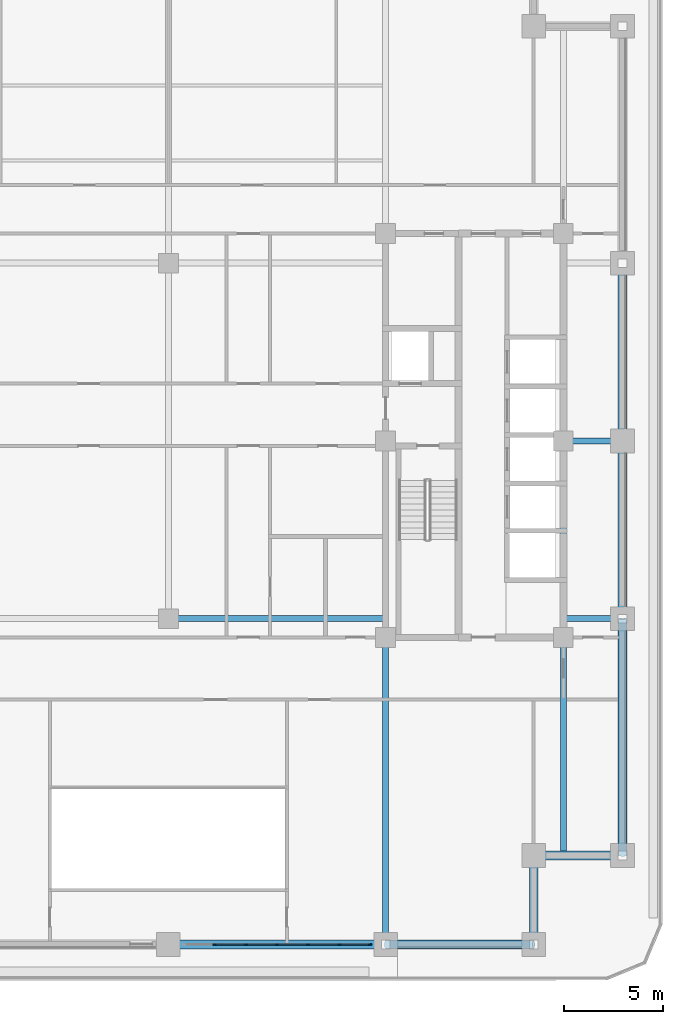
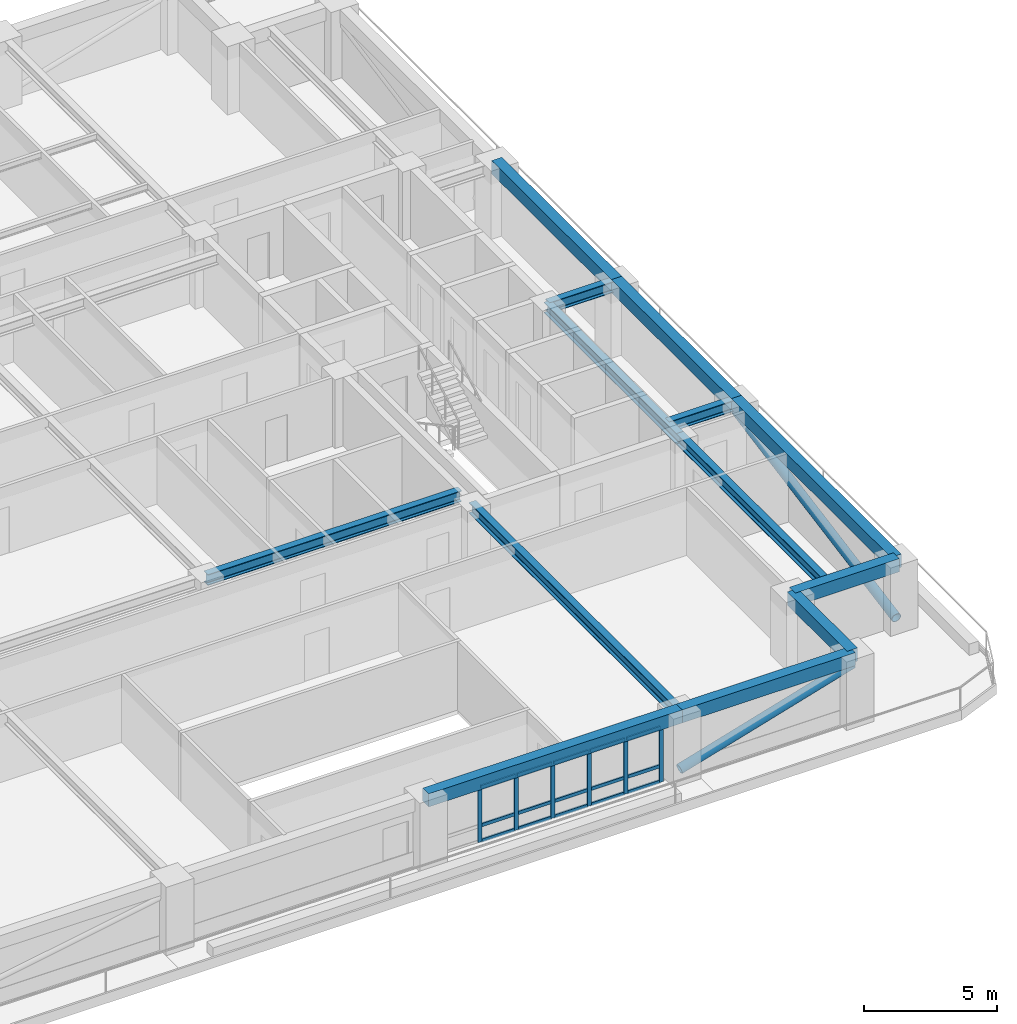
# One storey, part 4 of 17: 23 members, 13 beams, 1 element without a shape of its own.
"""IFC4 building model written with IfcOpenShell, lengths in metres."""

import ifcopenshell
import ifcopenshell.guid

model = None  # the IFC model being written
_history = None  # IfcOwnerHistory: only IFC2X3 demands one
_inside = {}  # id of a spatial element -> (the spatial element, [elements in it])
_under = {}  # id of a project, library or spatial element -> (it, [spatial elements below it])
_declared = {}  # id of a project -> (the project, [libraries it declares])
_typed = {}  # id of a type object -> (the type object, [elements of that type])
_made_of = {}  # id of a material, layer set ... -> (it, [elements and type objects made of it])


def new_model(schema):
    """Start an empty IFC model of exactly this schema.

    Asked for "IFC4X3", IfcOpenShell would pick the latest addendum, in which some entities
    have other attributes; the version numbers below select the first issue.
    IFC2X3 requires an IfcOwnerHistory on every rooted entity: one is made here for all.
    """
    global model, _history
    if schema == "IFC4X3":
        model = ifcopenshell.file(schema_version=(4, 3, 0, 0))
    else:
        model = ifcopenshell.file(schema=schema)
    _inside.clear()
    _under.clear()
    _declared.clear()
    _typed.clear()
    _made_of.clear()
    _history = None
    if model.schema == "IFC2X3":
        org = make("IfcOrganization", Name="unknown")
        user = make(
            "IfcPersonAndOrganization",
            ThePerson=make("IfcPerson", FamilyName="unknown"),
            TheOrganization=org,
        )
        app = make(
            "IfcApplication",
            ApplicationDeveloper=org,
            Version="unknown",
            ApplicationFullName="unknown",
            ApplicationIdentifier="unknown",
        )
        _history = make(
            "IfcOwnerHistory",
            OwningUser=user,
            OwningApplication=app,
            ChangeAction="ADDED",
            CreationDate=0,
        )
    return model


def make(cls, **values):
    """One entity of the class cls with the attributes given. An attribute that is None is left unset."""
    return model.create_entity(
        cls, **{name: value for name, value in values.items() if value is not None}
    )


def rooted(cls, **values):
    """An entity with a GlobalId (a new one), such as an element, a storey or a relation."""
    return make(cls, GlobalId=ifcopenshell.guid.new(), OwnerHistory=_history, **values)


def si_unit(unit_type, name, prefix=None):
    """IfcSIUnit, for example si_unit("LENGTHUNIT", "METRE", prefix="MILLI")."""
    return make("IfcSIUnit", UnitType=unit_type, Prefix=prefix, Name=name)


def assignment(units):
    """IfcUnitAssignment: the units of a project."""
    return None if units is None else make("IfcUnitAssignment", Units=units)


def point(xyz):
    """IfcCartesianPoint."""
    return None if xyz is None else make("IfcCartesianPoint", Coordinates=xyz)


def direction(xyz):
    """IfcDirection."""
    return None if xyz is None else make("IfcDirection", DirectionRatios=xyz)


def frame(location, z_axis=None, x_axis=None):
    """IfcAxis2Placement3D, a coordinate frame: its origin and axes. An axis left out is left unset."""
    return make(
        "IfcAxis2Placement3D",
        Location=point(location),
        Axis=direction(z_axis),
        RefDirection=direction(x_axis),
    )


def frame_2d(location, x_axis=None):
    """IfcAxis2Placement2D, a coordinate frame in the plane: its origin and x axis."""
    return make(
        "IfcAxis2Placement2D", Location=point(location), RefDirection=direction(x_axis)
    )


def origin():
    """The frame at (0, 0, 0) with its axes left unset."""
    return frame((0.0, 0.0, 0.0))


def origin_2d():
    """The frame at (0, 0) in the plane with its x axis left unset."""
    return frame_2d((0.0, 0.0))


def place(relative_to, where):
    """IfcLocalPlacement: puts the frame where relative to a parent placement (None: the world)."""
    return make(
        "IfcLocalPlacement", PlacementRelTo=relative_to, RelativePlacement=where
    )


def context(
    kind, dimensions, precision=None, world=None, true_north=None, identifier=None
):
    """IfcGeometricRepresentationContext, for example the 3D "Model" context."""
    return make(
        "IfcGeometricRepresentationContext",
        ContextIdentifier=identifier,
        ContextType=kind,
        CoordinateSpaceDimension=dimensions,
        Precision=precision,
        WorldCoordinateSystem=world,
        TrueNorth=true_north,
    )


def subcontext(parent, identifier, kind, view, scale=None):
    """IfcGeometricRepresentationSubContext, for example "Body" below "Model"."""
    return make(
        "IfcGeometricRepresentationSubContext",
        ContextIdentifier=identifier,
        ContextType=kind,
        ParentContext=parent,
        TargetScale=scale,
        TargetView=view,
    )


def project(units=None, contexts=None):
    """IfcProject with its units and contexts."""
    return rooted(
        "IfcProject",
        Name="project",
        RepresentationContexts=contexts,
        UnitsInContext=assignment(units),
    )


def spatial(cls, under=None, at=None, **own):
    """A site, building, storey or space (cls), placed at a placement, below another one or the project."""
    s = rooted(cls, ObjectPlacement=at, **own)
    if under is not None:
        _under.setdefault(under.id(), (under, []))[1].append(s)
    return s


def profile(cls, at=None, kind="AREA", **sizes):
    """A parametric profile (cls). Its sizes go by their IFC names, for example OverallWidth=200.0."""
    return make(cls, ProfileType=kind, Position=at, **sizes)


def rectangle(**sizes):
    """IfcRectangleProfileDef."""
    return profile("IfcRectangleProfileDef", **sizes)


def hollow_circle(**sizes):
    """IfcCircleHollowProfileDef."""
    return profile("IfcCircleHollowProfileDef", **sizes)


def i_section(**sizes):
    """IfcIShapeProfileDef."""
    return profile("IfcIShapeProfileDef", **sizes)


def extrude(swept, where, along, depth):
    """IfcExtrudedAreaSolid: the profile swept, set in the frame where, extruded along a direction by depth."""
    return make(
        "IfcExtrudedAreaSolid",
        SweptArea=swept,
        Position=where,
        ExtrudedDirection=direction(along),
        Depth=depth,
    )


def shape(context_of_items, identifier, shape_type, items):
    """IfcShapeRepresentation: the items that make up one representation, for example the "Body"."""
    return make(
        "IfcShapeRepresentation",
        ContextOfItems=context_of_items,
        RepresentationIdentifier=identifier,
        RepresentationType=shape_type,
        Items=items,
    )


def material(Name=None, Category=None):
    """IfcMaterial."""
    return make("IfcMaterial", Name=Name, Category=Category)


def material_profile(
    of_material, cross_section, Name=None, Category=None, Priority=None
):
    """IfcMaterialProfile: a cross section and its material."""
    return make(
        "IfcMaterialProfile",
        Name=Name,
        Material=of_material,
        Profile=cross_section,
        Priority=Priority,
        Category=Category,
    )


def profile_set(profiles, Name=None, composite=None):
    """IfcMaterialProfileSet."""
    return make(
        "IfcMaterialProfileSet",
        Name=Name,
        MaterialProfiles=profiles,
        CompositeProfile=composite,
    )


def made_of(thing, what):
    """Note that an element or type object is made of a material, layer set ...; save() writes the relation."""
    if what is not None:
        _made_of.setdefault(what.id(), (what, []))[1].append(thing)
    return thing


def type_object(cls, material=None, **own):
    """A type object (cls), such as IfcWallType, which elements share."""
    return made_of(rooted(cls, **own), material)


def element(
    cls,
    number,
    at=None,
    inside=None,
    cuts=None,
    type_object=None,
    material=None,
    context=None,
    identifier="Body",
    shape_type=None,
    held_by="IfcProductDefinitionShape",
    body=None,
    shapes=None,
    **own,
):
    """One element of the class cls, such as IfcWall. Its Tag is "e" and its number.

    at: its placement. inside: the storey or other place that contains it. cuts: it is an
    opening in that element (IfcRelVoidsElement). A single representation is given by context,
    identifier, shape_type and body (its items); several are given by shapes. held_by: the class
    of the entity that holds the representations. save() writes the other relations.
    """
    e = rooted(cls, Tag="e%d" % number, ObjectPlacement=at, **own)
    if body is not None:
        shapes = [shape(context, identifier, shape_type, body)]
    if shapes is not None:
        e.Representation = make(held_by, Representations=shapes)
    if inside is not None:
        _inside.setdefault(inside.id(), (inside, []))[1].append(e)
    if cuts is not None:
        rooted(
            "IfcRelVoidsElement", RelatingBuildingElement=cuts, RelatedOpeningElement=e
        )
    if type_object is not None:
        _typed.setdefault(type_object.id(), (type_object, []))[1].append(e)
    return made_of(e, material)


def aggregate(whole, parts):
    """IfcRelAggregates: a whole, such as a stair, and the parts it consists of."""
    return rooted("IfcRelAggregates", RelatingObject=whole, RelatedObjects=parts)


def save(model, path):
    """Write the relations noted so far, then the file.

    IfcRelAggregates (storeys below a building ...), IfcRelContainedInSpatialStructure (elements
    in a storey), IfcRelDefinesByType, IfcRelAssociatesMaterial and IfcRelDeclares: one each for
    every whole, place, type object, material and project.
    """
    for whole, parts in _under.values():
        aggregate(whole, parts)
    for where, things in _inside.values():
        rooted(
            "IfcRelContainedInSpatialStructure",
            RelatedElements=things,
            RelatingStructure=where,
        )
    for kind, things in _typed.values():
        rooted("IfcRelDefinesByType", RelatedObjects=things, RelatingType=kind)
    for what, things in _made_of.values():
        rooted("IfcRelAssociatesMaterial", RelatedObjects=things, RelatingMaterial=what)
    for by, libraries in _declared.values():
        rooted("IfcRelDeclares", RelatingContext=by, RelatedDefinitions=libraries)
    model.write(path)


model = new_model("IFC4")

# Units and contexts
model_context = context("Model", 3, precision=1e-05, world=origin(), true_north=direction((0.0, 1.0)))
body_context = subcontext(model_context, "Body", "Model", "MODEL_VIEW")
ifc_project = project(units=[si_unit("LENGTHUNIT", "METRE"), si_unit("AREAUNIT", "SQUARE_METRE"), si_unit("VOLUMEUNIT", "CUBIC_METRE"), si_unit("PLANEANGLEUNIT", "RADIAN"), si_unit("MASSUNIT", "GRAM", prefix="KILO")], contexts=[model_context])

# Site, building, storey
site_placement = place(None, origin())
site = spatial("IfcSite", under=ifc_project, at=site_placement, CompositionType="ELEMENT")
building_placement = place(site_placement, origin())
building = spatial("IfcBuilding", under=site, at=building_placement, Name="Zulmaris Gate Convention Tower", CompositionType="ELEMENT")
storey_placement = place(building_placement, frame((0.0, 0.0, 149.909912109375)))
storey = spatial("IfcBuildingStorey", under=building, at=storey_placement, Name="L38", CompositionType="ELEMENT", Elevation=149.909912109375)

# Beams
ifc_material_1 = material(Name="Steel S355", Category="steel")
ifc_material_profile_1 = material_profile(ifc_material_1, i_section(OverallWidth=0.300048828125, OverallDepth=0.5, WebThickness=0.014404296875, FlangeThickness=0.028076171875, FilletRadius=0.027099609375, at=origin_2d()), Name="HEB 500")
ifc_profile_set_1 = profile_set([ifc_material_profile_1], Name="Steel S355")
beam_type_1 = type_object("IfcBeamType", Name="BM-HEB500", PredefinedType="BEAM", material=ifc_profile_set_1)
beam_1_placement = place(storey_placement, frame((0.0, -9.0, 2.89306640625), z_axis=(1.0, 0.0, 0.0), x_axis=(0.0, 1.0, 0.0)))
element("IfcBeam", 1, at=beam_1_placement, inside=storey, type_object=beam_type_1, Name="L38 Beam BM-L38-G02", PredefinedType="BEAM", context=body_context, shape_type="SweptSolid", body=[
    extrude(i_section(OverallWidth=0.300048828125, OverallDepth=0.5, WebThickness=0.014404296875, FlangeThickness=0.028076171875, FilletRadius=0.027099609375, at=origin_2d()), origin(), (0.0, 0.0, 1.0), 11.0),
])
beam_2_placement = place(storey_placement, frame((11.0, -25.5, 2.89306640625), z_axis=(0.0, 1.0, 0.0), x_axis=(-1.0, 0.0, 0.0)))
element("IfcBeam", 2, at=beam_2_placement, inside=storey, type_object=beam_type_1, Name="L38 Beam BM-L38-G10", PredefinedType="BEAM", context=body_context, shape_type="SweptSolid", body=[
    extrude(i_section(OverallWidth=0.300048828125, OverallDepth=0.5, WebThickness=0.014404296875, FlangeThickness=0.028076171875, FilletRadius=0.027099609375, at=origin_2d()), origin(), (0.0, 0.0, 1.0), 15.550048828125),
])
beam_3_placement = place(storey_placement, frame((20.0, -21.0, 2.89306640625), z_axis=(0.0, 1.0, 0.0), x_axis=(-1.0, 0.0, 0.0)))
element("IfcBeam", 3, at=beam_3_placement, inside=storey, type_object=beam_type_1, Name="L38 Beam BM-L38-G14", PredefinedType="BEAM", context=body_context, shape_type="SweptSolid", body=[
    extrude(i_section(OverallWidth=0.300048828125, OverallDepth=0.5, WebThickness=0.014404296875, FlangeThickness=0.028076171875, FilletRadius=0.027099609375, at=origin_2d()), origin(), (0.0, 0.0, 1.0), 11.050048828125),
])
for number, where, z_axis, x_axis, name in (
    (4, (20.0, -9.0, 2.89306640625), (1.0, 0.0, 0.0), (0.0, 1.0, 0.0), "L38 Beam BM-L38-G19"),
    (5, (20.0, 0.0, 2.89306640625), (1.0, 0.0, 0.0), (0.0, 1.0, 0.0), "L38 Beam BM-L38-G20"),
):
    element("IfcBeam", number, at=place(storey_placement, frame(where, z_axis=z_axis, x_axis=x_axis)), inside=storey, type_object=beam_type_1, Name=name, PredefinedType="BEAM", context=body_context, shape_type="SweptSolid", body=[
        extrude(i_section(OverallWidth=0.300048828125, OverallDepth=0.5, WebThickness=0.014404296875, FlangeThickness=0.028076171875, FilletRadius=0.027099609375, at=origin_2d()), origin(), (0.0, 0.0, 1.0), 3.0),
    ])
beam_4_placement = place(storey_placement, frame((20.0, -9.949951171875, 2.89306640625), z_axis=(0.0, 1.0, 0.0), x_axis=(-1.0, 0.0, 0.0)))
element("IfcBeam", 6, at=beam_4_placement, inside=storey, type_object=beam_type_1, Name="L38 Beam BM-L38-G28", PredefinedType="BEAM", context=body_context, shape_type="SweptSolid", body=[
    extrude(i_section(OverallWidth=0.300048828125, OverallDepth=0.5, WebThickness=0.014404296875, FlangeThickness=0.028076171875, FilletRadius=0.027099609375, at=origin_2d()), origin(), (0.0, 0.0, 1.0), 9.949951171875),
])
ifc_material_2 = material(Name="Precast concrete C50/60", Category="concrete")
ifc_material_profile_2 = material_profile(ifc_material_2, rectangle(XDim=0.449951171875, YDim=0.60009765625, at=origin_2d()), Name="RC SPANDREL 450x600")
ifc_profile_set_2 = profile_set([ifc_material_profile_2], Name="Precast concrete C50/60")
beam_type_2 = type_object("IfcBeamType", Name="BM-SP450x600", PredefinedType="SPANDREL", material=ifc_profile_set_2)
beam_5_placement = place(storey_placement, frame((0.0, -25.5, 2.844970703125), z_axis=(1.0, 0.0, 0.0), x_axis=(0.0, 1.0, 0.0)))
element("IfcBeam", 7, at=beam_5_placement, inside=storey, type_object=beam_type_2, Name="L38 Spandrel SP-L38-03", PredefinedType="SPANDREL", context=body_context, shape_type="SweptSolid", body=[
    extrude(rectangle(XDim=0.449951171875, YDim=0.60009765625, at=origin_2d()), origin(), (0.0, 0.0, 1.0), 11.0),
])
beam_6_placement = place(storey_placement, frame((11.0, -25.5, 2.844970703125), z_axis=(1.0, 0.0, 0.0), x_axis=(0.0, 1.0, 0.0)))
element("IfcBeam", 8, at=beam_6_placement, inside=storey, type_object=beam_type_2, Name="L38 Spandrel SP-L38-04", PredefinedType="SPANDREL", context=body_context, shape_type="SweptSolid", body=[
    extrude(rectangle(XDim=0.449951171875, YDim=0.60009765625, at=origin_2d()), origin(), (0.0, 0.0, 1.0), 7.5),
])
for number, where, z_axis, x_axis, name in (
    (9, (18.5, -25.5, 2.844970703125), (0.0, 1.0, 0.0), (-1.0, 0.0, 0.0), "L38 Spandrel SP-L38-05"),
    (10, (18.5, -21.0, 2.844970703125), (1.0, 0.0, 0.0), (0.0, 1.0, 0.0), "L38 Spandrel SP-L38-06"),
):
    element("IfcBeam", number, at=place(storey_placement, frame(where, z_axis=z_axis, x_axis=x_axis)), inside=storey, type_object=beam_type_2, Name=name, PredefinedType="SPANDREL", context=body_context, shape_type="SweptSolid", body=[
        extrude(rectangle(XDim=0.449951171875, YDim=0.60009765625, at=origin_2d()), origin(), (0.0, 0.0, 1.0), 4.5),
    ])
beam_7_placement = place(storey_placement, frame((23.0, -21.0, 2.844970703125), z_axis=(0.0, 1.0, 0.0), x_axis=(-1.0, 0.0, 0.0)))
element("IfcBeam", 11, at=beam_7_placement, inside=storey, type_object=beam_type_2, Name="L38 Spandrel SP-L38-07", PredefinedType="SPANDREL", context=body_context, shape_type="SweptSolid", body=[
    extrude(rectangle(XDim=0.449951171875, YDim=0.60009765625, at=origin_2d()), origin(), (0.0, 0.0, 1.0), 12.0),
])
for number, where, z_axis, x_axis, name in (
    (12, (23.0, -9.0, 2.844970703125), (0.0, 1.0, 0.0), (-1.0, 0.0, 0.0), "L38 Spandrel SP-L38-08"),
    (13, (23.0, 0.0, 2.844970703125), (0.0, 1.0, 0.0), (-1.0, 0.0, 0.0), "L38 Spandrel SP-L38-09"),
):
    element("IfcBeam", number, at=place(storey_placement, frame(where, z_axis=z_axis, x_axis=x_axis)), inside=storey, type_object=beam_type_2, Name=name, PredefinedType="SPANDREL", context=body_context, shape_type="SweptSolid", body=[
        extrude(rectangle(XDim=0.449951171875, YDim=0.60009765625, at=origin_2d()), origin(), (0.0, 0.0, 1.0), 9.0),
    ])

# Members
ifc_material_3 = material(Name="Steel S460", Category="steel")
ifc_material_profile_3 = material_profile(ifc_material_3, hollow_circle(Radius=0.203125, WallThickness=0.02001953125, at=origin_2d()), Name="CHS 406.4x20")
ifc_profile_set_3 = profile_set([ifc_material_profile_3], Name="Steel S460")
member_type_1 = type_object("IfcMemberType", Name="BR-CHS406", PredefinedType="BRACE", material=ifc_profile_set_3)
member_1_placement = place(storey_placement, frame((23.0, -21.0, 0.300048828125), z_axis=(0.0, 0.983239794961, 0.182317046942), x_axis=(-1.0, 0.0, 0.0)))
element("IfcMember", 14, at=member_1_placement, inside=storey, type_object=member_type_1, Name="L38 Perimeter Tube Diagonal SE-E", PredefinedType="BRACE", context=body_context, shape_type="SweptSolid", body=[
    extrude(hollow_circle(Radius=0.203125, WallThickness=0.02001953125, at=origin_2d()), origin(), (0.0, 0.0, 1.0), 12.20458984375),
])
member_2_placement = place(storey_placement, frame((11.0, -25.5, 0.300048828125), z_axis=(0.958697936937, 0.0, 0.284426204337), x_axis=(0.0, 1.0, 0.0)))
element("IfcMember", 15, at=member_2_placement, inside=storey, type_object=member_type_1, Name="L38 Perimeter Tube Diagonal SE-S", PredefinedType="BRACE", context=body_context, shape_type="SweptSolid", body=[
    extrude(hollow_circle(Radius=0.203125, WallThickness=0.02001953125, at=origin_2d()), origin(), (0.0, 0.0, 1.0), 7.822998046875),
])

# Curtain wall, members
ifc_material_4 = material(Name="Anodised Aluminium", Category="aluminium")
curtain_wall_type = type_object("IfcCurtainWallType", Name="CW-06", PredefinedType="NOTDEFINED", material=ifc_material_4)
curtain_wall_placement = place(storey_placement, origin())
curtain_wall = element("IfcCurtainWall", 16, at=curtain_wall_placement, inside=storey, type_object=curtain_wall_type, Name="CW-06 CW06-L38-S-2_0", PredefinedType="NOTDEFINED")
ifc_material_profile_4 = material_profile(ifc_material_4, rectangle(XDim=0.074951171875, YDim=0.179931640625, at=origin_2d()), Name="ALU MULLION 75x180")
ifc_profile_set_4 = profile_set([ifc_material_profile_4], Name="Anodised Aluminium")
member_type_2 = type_object("IfcMemberType", Name="CW-06-MULL", PredefinedType="MULLION", material=ifc_profile_set_4)
member_3_placement = place(storey_placement, frame((2.340087890625, -25.5, 0.0), z_axis=(0.0, 0.0, 1.0), x_axis=(0.0, 1.0, 0.0)))
member_3 = element("IfcMember", 17, at=member_3_placement, type_object=member_type_2, Name="CW-06 mullion 2", PredefinedType="MULLION", context=body_context, shape_type="SweptSolid", body=[
    extrude(rectangle(XDim=0.074951171875, YDim=0.179931640625, at=origin_2d()), origin(), (0.0, 0.0, 1.0), 2.537109375),
])
member_4_placement = place(storey_placement, frame((3.919921875, -25.5, 0.0), z_axis=(0.0, 0.0, 1.0), x_axis=(0.0, 1.0, 0.0)))
member_4 = element("IfcMember", 18, at=member_4_placement, type_object=member_type_2, Name="CW-06 mullion 3", PredefinedType="MULLION", context=body_context, shape_type="SweptSolid", body=[
    extrude(rectangle(XDim=0.074951171875, YDim=0.179931640625, at=origin_2d()), origin(), (0.0, 0.0, 1.0), 2.537109375),
])
member_5_placement = place(storey_placement, frame((5.5, -25.5, 0.0), z_axis=(0.0, 0.0, 1.0), x_axis=(0.0, 1.0, 0.0)))
member_5 = element("IfcMember", 19, at=member_5_placement, type_object=member_type_2, Name="CW-06 mullion 4", PredefinedType="MULLION", context=body_context, shape_type="SweptSolid", body=[
    extrude(rectangle(XDim=0.074951171875, YDim=0.179931640625, at=origin_2d()), origin(), (0.0, 0.0, 1.0), 2.537109375),
])
member_6_placement = place(storey_placement, frame((7.080078125, -25.5, 0.0), z_axis=(0.0, 0.0, 1.0), x_axis=(0.0, 1.0, 0.0)))
member_6 = element("IfcMember", 20, at=member_6_placement, type_object=member_type_2, Name="CW-06 mullion 5", PredefinedType="MULLION", context=body_context, shape_type="SweptSolid", body=[
    extrude(rectangle(XDim=0.074951171875, YDim=0.179931640625, at=origin_2d()), origin(), (0.0, 0.0, 1.0), 2.537109375),
])
member_7_placement = place(storey_placement, frame((8.659912109375, -25.5, 0.0), z_axis=(0.0, 0.0, 1.0), x_axis=(0.0, 1.0, 0.0)))
member_7 = element("IfcMember", 21, at=member_7_placement, type_object=member_type_2, Name="CW-06 mullion 6", PredefinedType="MULLION", context=body_context, shape_type="SweptSolid", body=[
    extrude(rectangle(XDim=0.074951171875, YDim=0.179931640625, at=origin_2d()), origin(), (0.0, 0.0, 1.0), 2.537109375),
])
member_8_placement = place(storey_placement, frame((10.202392578125, -25.5, 0.0), z_axis=(0.0, 0.0, 1.0), x_axis=(0.0, 1.0, 0.0)))
member_8 = element("IfcMember", 22, at=member_8_placement, type_object=member_type_2, Name="CW-06 mullion 7", PredefinedType="MULLION", context=body_context, shape_type="SweptSolid", body=[
    extrude(rectangle(XDim=0.074951171875, YDim=0.179931640625, at=origin_2d()), origin(), (0.0, 0.0, 1.0), 2.537109375),
])
ifc_material_profile_5 = material_profile(ifc_material_4, rectangle(XDim=0.074951171875, YDim=0.14990234375, at=origin_2d()), Name="ALU TRANSOM 75x150")
ifc_profile_set_5 = profile_set([ifc_material_profile_5], Name="Anodised Aluminium")
member_type_3 = type_object("IfcMemberType", Name="CW-06-TRAN", PredefinedType="USERDEFINED", material=ifc_profile_set_5)
member_9_placement = place(storey_placement, frame((2.37744140625, -25.5, 0.03759765625), z_axis=(1.0, 0.0, 0.0), x_axis=(0.0, 1.0, 0.0)))
member_9 = element("IfcMember", 23, at=member_9_placement, type_object=member_type_3, Name="CW-06 transom 2.1", ObjectType="TRANSOM", PredefinedType="USERDEFINED", context=body_context, shape_type="SweptSolid", body=[
    extrude(rectangle(XDim=0.074951171875, YDim=0.14990234375, at=origin_2d()), origin(), (0.0, 0.0, 1.0), 1.505126953125),
])
member_10_placement = place(storey_placement, frame((2.37744140625, -25.5, 0.75), z_axis=(1.0, 0.0, 0.0), x_axis=(0.0, 1.0, 0.0)))
member_10 = element("IfcMember", 24, at=member_10_placement, type_object=member_type_3, Name="CW-06 transom 2.2", ObjectType="TRANSOM", PredefinedType="USERDEFINED", context=body_context, shape_type="SweptSolid", body=[
    extrude(rectangle(XDim=0.074951171875, YDim=0.14990234375, at=origin_2d()), origin(), (0.0, 0.0, 1.0), 1.505126953125),
])
member_11_placement = place(storey_placement, frame((2.37744140625, -25.5, 2.49951171875), z_axis=(1.0, 0.0, 0.0), x_axis=(0.0, 1.0, 0.0)))
member_11 = element("IfcMember", 25, at=member_11_placement, type_object=member_type_3, Name="CW-06 transom 2.3", ObjectType="TRANSOM", PredefinedType="USERDEFINED", context=body_context, shape_type="SweptSolid", body=[
    extrude(rectangle(XDim=0.074951171875, YDim=0.14990234375, at=origin_2d()), origin(), (0.0, 0.0, 1.0), 1.505126953125),
])
member_12_placement = place(storey_placement, frame((3.95751953125, -25.5, 0.03759765625), z_axis=(1.0, 0.0, 0.0), x_axis=(0.0, 1.0, 0.0)))
member_12 = element("IfcMember", 26, at=member_12_placement, type_object=member_type_3, Name="CW-06 transom 3.1", ObjectType="TRANSOM", PredefinedType="USERDEFINED", context=body_context, shape_type="SweptSolid", body=[
    extrude(rectangle(XDim=0.074951171875, YDim=0.14990234375, at=origin_2d()), origin(), (0.0, 0.0, 1.0), 1.5048828125),
])
member_13_placement = place(storey_placement, frame((3.95751953125, -25.5, 0.75), z_axis=(1.0, 0.0, 0.0), x_axis=(0.0, 1.0, 0.0)))
member_13 = element("IfcMember", 27, at=member_13_placement, type_object=member_type_3, Name="CW-06 transom 3.2", ObjectType="TRANSOM", PredefinedType="USERDEFINED", context=body_context, shape_type="SweptSolid", body=[
    extrude(rectangle(XDim=0.074951171875, YDim=0.14990234375, at=origin_2d()), origin(), (0.0, 0.0, 1.0), 1.5048828125),
])
member_14_placement = place(storey_placement, frame((3.95751953125, -25.5, 2.49951171875), z_axis=(1.0, 0.0, 0.0), x_axis=(0.0, 1.0, 0.0)))
member_14 = element("IfcMember", 28, at=member_14_placement, type_object=member_type_3, Name="CW-06 transom 3.3", ObjectType="TRANSOM", PredefinedType="USERDEFINED", context=body_context, shape_type="SweptSolid", body=[
    extrude(rectangle(XDim=0.074951171875, YDim=0.14990234375, at=origin_2d()), origin(), (0.0, 0.0, 1.0), 1.5048828125),
])
member_15_placement = place(storey_placement, frame((5.53759765625, -25.5, 0.03759765625), z_axis=(1.0, 0.0, 0.0), x_axis=(0.0, 1.0, 0.0)))
member_15 = element("IfcMember", 29, at=member_15_placement, type_object=member_type_3, Name="CW-06 transom 4.1", ObjectType="TRANSOM", PredefinedType="USERDEFINED", context=body_context, shape_type="SweptSolid", body=[
    extrude(rectangle(XDim=0.074951171875, YDim=0.14990234375, at=origin_2d()), origin(), (0.0, 0.0, 1.0), 1.5048828125),
])
member_16_placement = place(storey_placement, frame((5.53759765625, -25.5, 0.75), z_axis=(1.0, 0.0, 0.0), x_axis=(0.0, 1.0, 0.0)))
member_16 = element("IfcMember", 30, at=member_16_placement, type_object=member_type_3, Name="CW-06 transom 4.2", ObjectType="TRANSOM", PredefinedType="USERDEFINED", context=body_context, shape_type="SweptSolid", body=[
    extrude(rectangle(XDim=0.074951171875, YDim=0.14990234375, at=origin_2d()), origin(), (0.0, 0.0, 1.0), 1.5048828125),
])
member_17_placement = place(storey_placement, frame((5.53759765625, -25.5, 2.49951171875), z_axis=(1.0, 0.0, 0.0), x_axis=(0.0, 1.0, 0.0)))
member_17 = element("IfcMember", 31, at=member_17_placement, type_object=member_type_3, Name="CW-06 transom 4.3", ObjectType="TRANSOM", PredefinedType="USERDEFINED", context=body_context, shape_type="SweptSolid", body=[
    extrude(rectangle(XDim=0.074951171875, YDim=0.14990234375, at=origin_2d()), origin(), (0.0, 0.0, 1.0), 1.5048828125),
])
member_18_placement = place(storey_placement, frame((7.117431640625, -25.5, 0.03759765625), z_axis=(1.0, 0.0, 0.0), x_axis=(0.0, 1.0, 0.0)))
member_18 = element("IfcMember", 32, at=member_18_placement, type_object=member_type_3, Name="CW-06 transom 5.1", ObjectType="TRANSOM", PredefinedType="USERDEFINED", context=body_context, shape_type="SweptSolid", body=[
    extrude(rectangle(XDim=0.074951171875, YDim=0.14990234375, at=origin_2d()), origin(), (0.0, 0.0, 1.0), 1.505126953125),
])
member_19_placement = place(storey_placement, frame((7.117431640625, -25.5, 0.75), z_axis=(1.0, 0.0, 0.0), x_axis=(0.0, 1.0, 0.0)))
member_19 = element("IfcMember", 33, at=member_19_placement, type_object=member_type_3, Name="CW-06 transom 5.2", ObjectType="TRANSOM", PredefinedType="USERDEFINED", context=body_context, shape_type="SweptSolid", body=[
    extrude(rectangle(XDim=0.074951171875, YDim=0.14990234375, at=origin_2d()), origin(), (0.0, 0.0, 1.0), 1.505126953125),
])
member_20_placement = place(storey_placement, frame((7.117431640625, -25.5, 2.49951171875), z_axis=(1.0, 0.0, 0.0), x_axis=(0.0, 1.0, 0.0)))
member_20 = element("IfcMember", 34, at=member_20_placement, type_object=member_type_3, Name="CW-06 transom 5.3", ObjectType="TRANSOM", PredefinedType="USERDEFINED", context=body_context, shape_type="SweptSolid", body=[
    extrude(rectangle(XDim=0.074951171875, YDim=0.14990234375, at=origin_2d()), origin(), (0.0, 0.0, 1.0), 1.505126953125),
])
member_21_placement = place(storey_placement, frame((8.697509765625, -25.5, 0.03759765625), z_axis=(1.0, 0.0, 0.0), x_axis=(0.0, 1.0, 0.0)))
member_21 = element("IfcMember", 35, at=member_21_placement, type_object=member_type_3, Name="CW-06 transom 6.1", ObjectType="TRANSOM", PredefinedType="USERDEFINED", context=body_context, shape_type="SweptSolid", body=[
    extrude(rectangle(XDim=0.074951171875, YDim=0.14990234375, at=origin_2d()), origin(), (0.0, 0.0, 1.0), 1.467529296875),
])
member_22_placement = place(storey_placement, frame((8.697509765625, -25.5, 0.75), z_axis=(1.0, 0.0, 0.0), x_axis=(0.0, 1.0, 0.0)))
member_22 = element("IfcMember", 36, at=member_22_placement, type_object=member_type_3, Name="CW-06 transom 6.2", ObjectType="TRANSOM", PredefinedType="USERDEFINED", context=body_context, shape_type="SweptSolid", body=[
    extrude(rectangle(XDim=0.074951171875, YDim=0.14990234375, at=origin_2d()), origin(), (0.0, 0.0, 1.0), 1.467529296875),
])
member_23_placement = place(storey_placement, frame((8.697509765625, -25.5, 2.49951171875), z_axis=(1.0, 0.0, 0.0), x_axis=(0.0, 1.0, 0.0)))
member_23 = element("IfcMember", 37, at=member_23_placement, type_object=member_type_3, Name="CW-06 transom 6.3", ObjectType="TRANSOM", PredefinedType="USERDEFINED", context=body_context, shape_type="SweptSolid", body=[
    extrude(rectangle(XDim=0.074951171875, YDim=0.14990234375, at=origin_2d()), origin(), (0.0, 0.0, 1.0), 1.467529296875),
])
aggregate(curtain_wall, [member_3, member_4, member_5, member_6, member_7, member_8, member_9, member_10, member_11, member_12, member_13, member_14, member_15, member_16, member_17, member_18, member_19, member_20, member_21, member_22, member_23])

save(model, "model.ifc")
